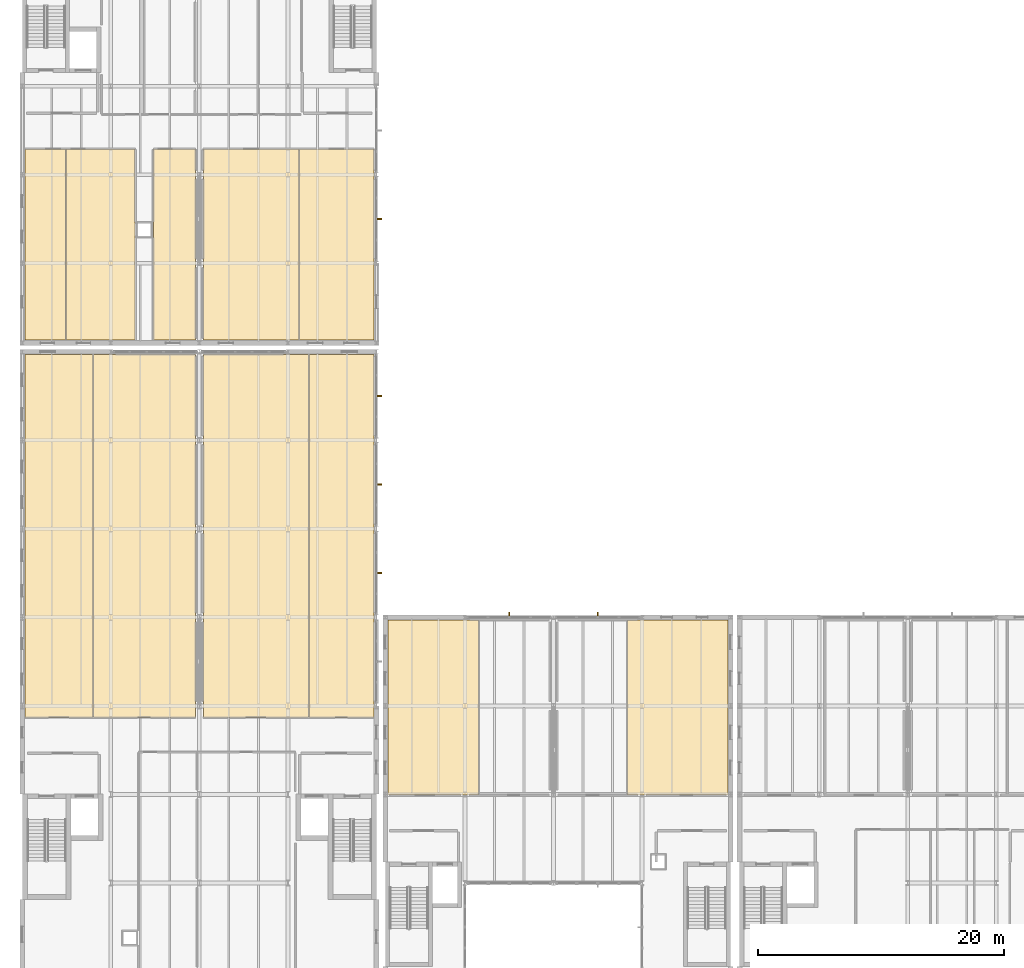
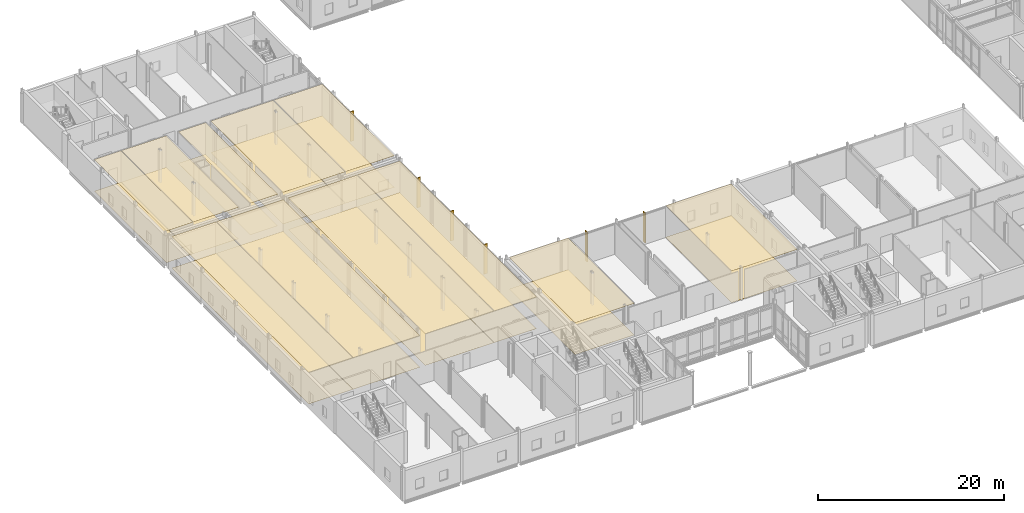
# One storey, part 67 of 72: 22 coverings, 6 shading devices.
"""IFC4 building model written with IfcOpenShell, lengths in metres."""

from ifc_helpers import new_model, si_unit, direction, frame, origin, origin_2d, place, context, subcontext, project, spatial, polyline, rectangle, outline, extrude, material, layer, layer_set, type_object, element, save


model = new_model("IFC4")

# Units and contexts
model_context = context("Model", 3, precision=1e-05, world=origin(), true_north=direction((0.0, 1.0)))
body_context = subcontext(model_context, "Body", "Model", "MODEL_VIEW")
ifc_project = project(units=[si_unit("LENGTHUNIT", "METRE"), si_unit("AREAUNIT", "SQUARE_METRE"), si_unit("VOLUMEUNIT", "CUBIC_METRE"), si_unit("PLANEANGLEUNIT", "RADIAN"), si_unit("MASSUNIT", "GRAM", prefix="KILO")], contexts=[model_context])

# Site, building, storey
site_placement = place(None, origin())
site = spatial("IfcSite", under=ifc_project, at=site_placement, CompositionType="ELEMENT")
building_placement = place(site_placement, origin())
building = spatial("IfcBuilding", under=site, at=building_placement, Name="Zarrinpeak Specialist Clinic", CompositionType="ELEMENT")
storey_placement = place(building_placement, frame((0.0, 0.0, 9.60009765625)))
storey = spatial("IfcBuildingStorey", under=building, at=storey_placement, Name="L02", CompositionType="ELEMENT", Elevation=9.60009765625)

# Coverings
ifc_material_1 = material(Name="Hygienic Acoustic Mineral Fibre Tile")
ifc_layer_1 = layer(ifc_material_1, 0.02490234375)
ifc_layer_set_1 = layer_set([ifc_layer_1], Name="Hygienic Acoustic Mineral Fibre Tile")
covering_type_1 = type_object("IfcCoveringType", Name="CV-CEIL-AC", PredefinedType="CEILING", material=ifc_layer_set_1)
covering_1_placement = place(storey_placement, frame((0.0, 0.0, 4.14501953125)))
element("IfcCovering", 1, at=covering_1_placement, inside=storey, type_object=covering_type_1, Name="L02 Neurology EMG Diagnostic Room Hygienic Acoustic Ceiling", PredefinedType="CEILING", context=body_context, shape_type="SweptSolid", body=[
    extrude(outline(polyline([(23.320068359375, 20.669921875), (28.580078125, 20.669921875), (28.580078125, 50.179931640625), (23.320068359375, 50.179931640625), (23.320068359375, 20.669921875)])), origin(), (0.0, 0.0, 1.0), 0.02490234375),
])
covering_2_placement = place(storey_placement, frame((0.0, 0.0, 4.14501953125)))
element("IfcCovering", 2, at=covering_2_placement, inside=storey, type_object=covering_type_1, Name="L02 Sleep Disorder Telemetry Suite Hygienic Acoustic Ceiling", PredefinedType="CEILING", context=body_context, shape_type="SweptSolid", body=[
    extrude(outline(polyline([(0.219970703125, 20.669921875), (5.72998046875, 20.669921875), (5.72998046875, 50.179931640625), (0.219970703125, 50.179931640625), (0.219970703125, 20.669921875)])), origin(), (0.0, 0.0, 1.0), 0.02490234375),
])
covering_3_placement = place(storey_placement, frame((0.0, 0.0, 4.14501953125)))
element("IfcCovering", 3, at=covering_3_placement, inside=storey, type_object=covering_type_1, Name="L02 Audiology Soundproof Booth Hygienic Acoustic Ceiling", PredefinedType="CEILING", context=body_context, shape_type="SweptSolid", body=[
    extrude(outline(polyline([(5.77001953125, 20.669921875), (14.080078125, 20.669921875), (14.080078125, 50.179931640625), (5.77001953125, 50.179931640625), (5.77001953125, 20.669921875)])), origin(), (0.0, 0.0, 1.0), 0.02490234375),
])
covering_4_placement = place(storey_placement, frame((0.0, 0.0, 4.14501953125)))
element("IfcCovering", 4, at=covering_4_placement, inside=storey, type_object=covering_type_1, Name="L02 Ophthalmology Laser Treatment Room Hygienic Acoustic Ceiling", PredefinedType="CEILING", context=body_context, shape_type="SweptSolid", body=[
    extrude(outline(polyline([(14.719970703125, 20.669921875), (23.280029296875, 20.669921875), (23.280029296875, 50.179931640625), (14.719970703125, 50.179931640625), (14.719970703125, 20.669921875)])), origin(), (0.0, 0.0, 1.0), 0.02490234375),
])
covering_5_placement = place(storey_placement, frame((0.0, 0.0, 4.14501953125)))
element("IfcCovering", 5, at=covering_5_placement, inside=storey, type_object=covering_type_1, Name="L02 Maternal Fetal Ultrasound Suite Hygienic Acoustic Ceiling", PredefinedType="CEILING", context=body_context, shape_type="SweptSolid", body=[
    extrude(outline(polyline([(29.739990234375, 14.3701171875), (37.10009765625, 14.3701171875), (37.10009765625, 28.580078125), (29.739990234375, 28.580078125), (29.739990234375, 14.3701171875)])), origin(), (0.0, 0.0, 1.0), 0.02490234375),
])
covering_6_placement = place(storey_placement, frame((0.0, 0.0, 4.14501953125)))
element("IfcCovering", 6, at=covering_6_placement, inside=storey, type_object=covering_type_1, Name="L02 Women Health Consultation Room Hygienic Acoustic Ceiling", PredefinedType="CEILING", context=body_context, shape_type="SweptSolid", body=[
    extrude(outline(polyline([(49.219970703125, 14.3701171875), (57.3798828125, 14.3701171875), (57.3798828125, 28.580078125), (49.219970703125, 28.580078125), (49.219970703125, 14.3701171875)])), origin(), (0.0, 0.0, 1.0), 0.02490234375),
])
covering_7_placement = place(storey_placement, frame((0.0, 0.0, 4.14501953125)))
element("IfcCovering", 7, at=covering_7_placement, inside=storey, type_object=covering_type_1, Name="L02 Cytotoxic Aseptic Prep Lab Hygienic Acoustic Ceiling", PredefinedType="CEILING", context=body_context, shape_type="SweptSolid", body=[
    extrude(outline(polyline([(0.219970703125, 51.340087890625), (3.530029296875, 51.340087890625), (3.530029296875, 66.8798828125), (0.219970703125, 66.8798828125), (0.219970703125, 51.340087890625)])), origin(), (0.0, 0.0, 1.0), 0.02490234375),
])
covering_8_placement = place(storey_placement, frame((0.0, 0.0, 4.14501953125)))
element("IfcCovering", 8, at=covering_8_placement, inside=storey, type_object=covering_type_1, Name="L02 Haematology Oncology Consult Hygienic Acoustic Ceiling", PredefinedType="CEILING", context=body_context, shape_type="SweptSolid", body=[
    extrude(outline(polyline([(10.669921875, 51.340087890625), (14.080078125, 51.340087890625), (14.080078125, 66.8798828125), (10.669921875, 66.8798828125), (10.669921875, 51.340087890625)])), origin(), (0.0, 0.0, 1.0), 0.02490234375),
])
covering_9_placement = place(storey_placement, frame((0.0, 0.0, 4.14501953125)))
element("IfcCovering", 9, at=covering_9_placement, inside=storey, type_object=covering_type_1, Name="L02 Specialist Consultation Room 2 Hygienic Acoustic Ceiling", PredefinedType="CEILING", context=body_context, shape_type="SweptSolid", body=[
    extrude(outline(polyline([(3.570068359375, 51.340087890625), (9.179931640625, 51.340087890625), (9.179931640625, 66.8798828125), (3.570068359375, 66.8798828125), (3.570068359375, 51.340087890625)])), origin(), (0.0, 0.0, 1.0), 0.02490234375),
])
covering_10_placement = place(storey_placement, frame((0.0, 0.0, 4.14501953125)))
element("IfcCovering", 10, at=covering_10_placement, inside=storey, type_object=covering_type_1, Name="L02 Specialist Consultation Room 3 Hygienic Acoustic Ceiling", PredefinedType="CEILING", context=body_context, shape_type="SweptSolid", body=[
    extrude(outline(polyline([(22.52001953125, 51.340087890625), (28.580078125, 51.340087890625), (28.580078125, 66.8798828125), (22.52001953125, 66.8798828125), (22.52001953125, 51.340087890625)])), origin(), (0.0, 0.0, 1.0), 0.02490234375),
])
covering_11_placement = place(storey_placement, frame((0.0, 0.0, 4.14501953125)))
element("IfcCovering", 11, at=covering_11_placement, inside=storey, type_object=covering_type_1, Name="L02 Specialist Consultation Room 4 Hygienic Acoustic Ceiling", PredefinedType="CEILING", context=body_context, shape_type="SweptSolid", body=[
    extrude(outline(polyline([(14.719970703125, 51.340087890625), (22.47998046875, 51.340087890625), (22.47998046875, 66.8798828125), (14.719970703125, 66.8798828125), (14.719970703125, 51.340087890625)])), origin(), (0.0, 0.0, 1.0), 0.02490234375),
])
ifc_material_2 = material(Name="Homogeneous Antimicrobial Clinical Vinyl")
ifc_layer_2 = layer(ifc_material_2, 0.008056640625)
ifc_layer_set_2 = layer_set([ifc_layer_2], Name="Homogeneous Antimicrobial Clinical Vinyl")
covering_type_2 = type_object("IfcCoveringType", Name="CV-FLR-VN", PredefinedType="FLOORING", material=ifc_layer_set_2)
covering_12_placement = place(storey_placement, frame((0.0, 0.0, 0.0009765625)))
element("IfcCovering", 12, at=covering_12_placement, inside=storey, type_object=covering_type_2, Name="L02 Neurology EMG Diagnostic Room Antimicrobial Vinyl Flooring", PredefinedType="FLOORING", context=body_context, shape_type="SweptSolid", body=[
    extrude(outline(polyline([(23.320068359375, 20.669921875), (28.580078125, 20.669921875), (28.580078125, 50.179931640625), (23.320068359375, 50.179931640625), (23.320068359375, 20.669921875)])), origin(), (0.0, 0.0, 1.0), 0.0078125),
])
covering_13_placement = place(storey_placement, frame((0.0, 0.0, 0.0009765625)))
element("IfcCovering", 13, at=covering_13_placement, inside=storey, type_object=covering_type_2, Name="L02 Sleep Disorder Telemetry Suite Antimicrobial Vinyl Flooring", PredefinedType="FLOORING", context=body_context, shape_type="SweptSolid", body=[
    extrude(outline(polyline([(0.219970703125, 20.669921875), (5.72998046875, 20.669921875), (5.72998046875, 50.179931640625), (0.219970703125, 50.179931640625), (0.219970703125, 20.669921875)])), origin(), (0.0, 0.0, 1.0), 0.0078125),
])
covering_14_placement = place(storey_placement, frame((0.0, 0.0, 0.0009765625)))
element("IfcCovering", 14, at=covering_14_placement, inside=storey, type_object=covering_type_2, Name="L02 Audiology Soundproof Booth Antimicrobial Vinyl Flooring", PredefinedType="FLOORING", context=body_context, shape_type="SweptSolid", body=[
    extrude(outline(polyline([(5.77001953125, 20.669921875), (14.080078125, 20.669921875), (14.080078125, 50.179931640625), (5.77001953125, 50.179931640625), (5.77001953125, 20.669921875)])), origin(), (0.0, 0.0, 1.0), 0.0078125),
])
covering_15_placement = place(storey_placement, frame((0.0, 0.0, 0.0009765625)))
element("IfcCovering", 15, at=covering_15_placement, inside=storey, type_object=covering_type_2, Name="L02 Ophthalmology Laser Treatment Room Antimicrobial Vinyl Flooring", PredefinedType="FLOORING", context=body_context, shape_type="SweptSolid", body=[
    extrude(outline(polyline([(14.719970703125, 20.669921875), (23.280029296875, 20.669921875), (23.280029296875, 50.179931640625), (14.719970703125, 50.179931640625), (14.719970703125, 20.669921875)])), origin(), (0.0, 0.0, 1.0), 0.0078125),
])
covering_16_placement = place(storey_placement, frame((0.0, 0.0, 0.0009765625)))
element("IfcCovering", 16, at=covering_16_placement, inside=storey, type_object=covering_type_2, Name="L02 Maternal Fetal Ultrasound Suite Antimicrobial Vinyl Flooring", PredefinedType="FLOORING", context=body_context, shape_type="SweptSolid", body=[
    extrude(outline(polyline([(29.739990234375, 14.3701171875), (37.10009765625, 14.3701171875), (37.10009765625, 28.580078125), (29.739990234375, 28.580078125), (29.739990234375, 14.3701171875)])), origin(), (0.0, 0.0, 1.0), 0.0078125),
])
covering_17_placement = place(storey_placement, frame((0.0, 0.0, 0.0009765625)))
element("IfcCovering", 17, at=covering_17_placement, inside=storey, type_object=covering_type_2, Name="L02 Women Health Consultation Room Antimicrobial Vinyl Flooring", PredefinedType="FLOORING", context=body_context, shape_type="SweptSolid", body=[
    extrude(outline(polyline([(49.219970703125, 14.3701171875), (57.3798828125, 14.3701171875), (57.3798828125, 28.580078125), (49.219970703125, 28.580078125), (49.219970703125, 14.3701171875)])), origin(), (0.0, 0.0, 1.0), 0.0078125),
])
covering_18_placement = place(storey_placement, frame((0.0, 0.0, 0.0009765625)))
element("IfcCovering", 18, at=covering_18_placement, inside=storey, type_object=covering_type_2, Name="L02 Cytotoxic Aseptic Prep Lab Antimicrobial Vinyl Flooring", PredefinedType="FLOORING", context=body_context, shape_type="SweptSolid", body=[
    extrude(outline(polyline([(0.219970703125, 51.340087890625), (3.530029296875, 51.340087890625), (3.530029296875, 66.8798828125), (0.219970703125, 66.8798828125), (0.219970703125, 51.340087890625)])), origin(), (0.0, 0.0, 1.0), 0.0078125),
])
covering_19_placement = place(storey_placement, frame((0.0, 0.0, 0.0009765625)))
element("IfcCovering", 19, at=covering_19_placement, inside=storey, type_object=covering_type_2, Name="L02 Haematology Oncology Consult Antimicrobial Vinyl Flooring", PredefinedType="FLOORING", context=body_context, shape_type="SweptSolid", body=[
    extrude(outline(polyline([(10.669921875, 51.340087890625), (14.080078125, 51.340087890625), (14.080078125, 66.8798828125), (10.669921875, 66.8798828125), (10.669921875, 51.340087890625)])), origin(), (0.0, 0.0, 1.0), 0.0078125),
])
covering_20_placement = place(storey_placement, frame((0.0, 0.0, 0.0009765625)))
element("IfcCovering", 20, at=covering_20_placement, inside=storey, type_object=covering_type_2, Name="L02 Specialist Consultation Room 2 Antimicrobial Vinyl Flooring", PredefinedType="FLOORING", context=body_context, shape_type="SweptSolid", body=[
    extrude(outline(polyline([(3.570068359375, 51.340087890625), (9.179931640625, 51.340087890625), (9.179931640625, 66.8798828125), (3.570068359375, 66.8798828125), (3.570068359375, 51.340087890625)])), origin(), (0.0, 0.0, 1.0), 0.0078125),
])
covering_21_placement = place(storey_placement, frame((0.0, 0.0, 0.0009765625)))
element("IfcCovering", 21, at=covering_21_placement, inside=storey, type_object=covering_type_2, Name="L02 Specialist Consultation Room 3 Antimicrobial Vinyl Flooring", PredefinedType="FLOORING", context=body_context, shape_type="SweptSolid", body=[
    extrude(outline(polyline([(22.52001953125, 51.340087890625), (28.580078125, 51.340087890625), (28.580078125, 66.8798828125), (22.52001953125, 66.8798828125), (22.52001953125, 51.340087890625)])), origin(), (0.0, 0.0, 1.0), 0.0078125),
])
covering_22_placement = place(storey_placement, frame((0.0, 0.0, 0.0009765625)))
element("IfcCovering", 22, at=covering_22_placement, inside=storey, type_object=covering_type_2, Name="L02 Specialist Consultation Room 4 Antimicrobial Vinyl Flooring", PredefinedType="FLOORING", context=body_context, shape_type="SweptSolid", body=[
    extrude(outline(polyline([(14.719970703125, 51.340087890625), (22.47998046875, 51.340087890625), (22.47998046875, 66.8798828125), (14.719970703125, 66.8798828125), (14.719970703125, 51.340087890625)])), origin(), (0.0, 0.0, 1.0), 0.0078125),
])

# Shading devices
ifc_material_3 = material(Name="Glulam GL28h", Category="wood")
shading_device_type = type_object("IfcShadingDeviceType", Name="SHD-FIN-GL", PredefinedType="USERDEFINED", material=ifc_material_3)
for number, where, z_axis, x_axis, name in (
    (23, (29.0, 32.39990234375, -0.01513671875), (0.0, 0.0, 1.0), (1.0, 0.0, 0.0), "L02 V1 Cedar-Glulam Courtyard Fin FIN-010"),
    (24, (29.0, 39.612548828125, -0.01513671875), (0.0, 0.0, 1.0), (1.0, 0.0, 0.0), "L02 V1 Cedar-Glulam Courtyard Fin FIN-011"),
    (25, (29.0, 46.81005859375, -0.01513671875), (0.0, 0.0, 1.0), (1.0, 0.0, 0.0), "L02 V1 Cedar-Glulam Courtyard Fin FIN-012"),
):
    element("IfcShadingDevice", number, at=place(storey_placement, frame(where, z_axis=z_axis, x_axis=x_axis)), inside=storey, type_object=shading_device_type, Name=name, ObjectType="SUNSHADE", PredefinedType="USERDEFINED", context=body_context, shape_type="SweptSolid", body=[
        extrude(rectangle(XDim=0.449951171875, YDim=0.110107421875, at=origin_2d()), origin(), (0.0, 0.0, 1.0), 3.9150390625),
    ])
for number, where, z_axis, x_axis, name in (
    (26, (39.60009765625, 29.0, -0.01513671875), (0.0, 0.0, 1.0), (1.0, 0.0, 0.0), "L02 V2 Cedar-Glulam Courtyard Fin FIN-036"),
    (27, (46.800048828125, 29.0, -0.01513671875), (0.0, 0.0, 1.0), (1.0, 0.0, 0.0), "L02 V2 Cedar-Glulam Courtyard Fin FIN-037"),
):
    element("IfcShadingDevice", number, at=place(storey_placement, frame(where, z_axis=z_axis, x_axis=x_axis)), inside=storey, type_object=shading_device_type, Name=name, ObjectType="SUNSHADE", PredefinedType="USERDEFINED", context=body_context, shape_type="SweptSolid", body=[
        extrude(rectangle(XDim=0.110107421875, YDim=0.449951171875, at=origin_2d()), origin(), (0.0, 0.0, 1.0), 3.929931640625),
    ])
shading_device_placement = place(storey_placement, frame((29.0, 61.199951171875, -0.01513671875), z_axis=(0.0, 0.0, 1.0), x_axis=(1.0, 0.0, 0.0)))
element("IfcShadingDevice", 28, at=shading_device_placement, inside=storey, type_object=shading_device_type, Name="L02 V5 Cedar-Glulam Courtyard Fin FIN-077", ObjectType="SUNSHADE", PredefinedType="USERDEFINED", context=body_context, shape_type="SweptSolid", body=[
    extrude(rectangle(XDim=0.449951171875, YDim=0.110107421875, at=origin_2d()), origin(), (0.0, 0.0, 1.0), 3.9150390625),
])

save(model, "model.ifc")
